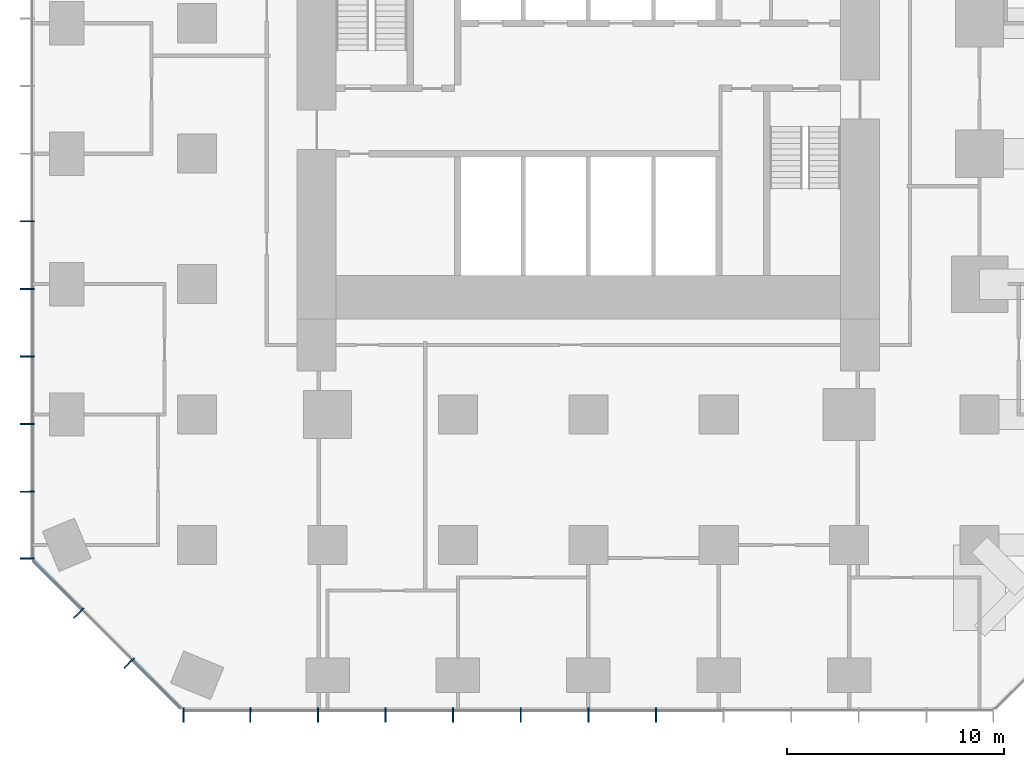
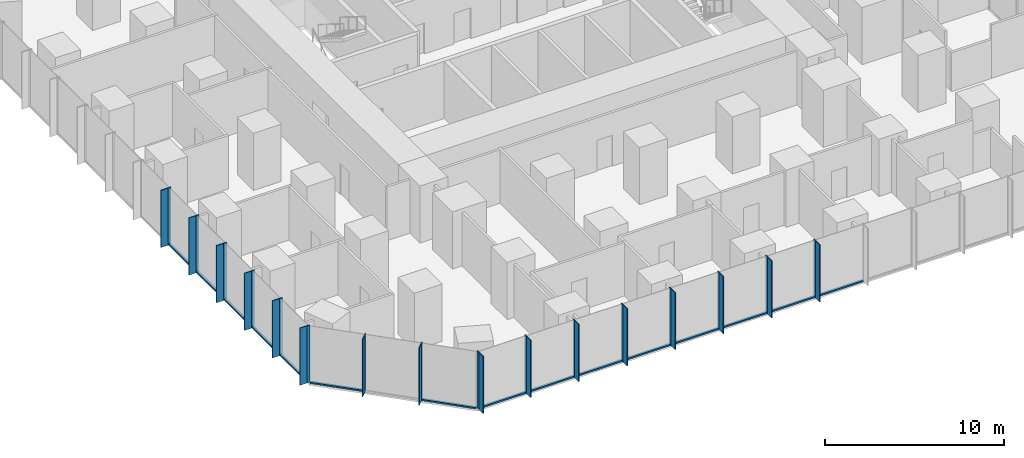
# One storey, part 2 of 12: 47 members, 3 elements without a shape of their own.
"""IFC4 building model written with IfcOpenShell, lengths in metres."""

from ifc_helpers import new_model, si_unit, direction, frame, origin, origin_2d, place, context, subcontext, project, spatial, rectangle, extrude, material, layer, layer_set, material_profile, profile_set, type_object, element, aggregate, save


model = new_model("IFC4")

# Units and contexts
model_context = context("Model", 3, precision=1e-05, world=origin(), true_north=direction((0.0, 1.0)))
body_context = subcontext(model_context, "Body", "Model", "MODEL_VIEW")
ifc_project = project(units=[si_unit("LENGTHUNIT", "METRE"), si_unit("AREAUNIT", "SQUARE_METRE"), si_unit("VOLUMEUNIT", "CUBIC_METRE"), si_unit("PLANEANGLEUNIT", "RADIAN"), si_unit("MASSUNIT", "GRAM", prefix="KILO")], contexts=[model_context])

# Site, building, storey
site_placement = place(None, origin())
site = spatial("IfcSite", under=ifc_project, at=site_placement, CompositionType="ELEMENT")
building_placement = place(site_placement, origin())
building = spatial("IfcBuilding", under=site, at=building_placement, Name="Highveld Stack Headquarters", CompositionType="ELEMENT")
storey_placement = place(building_placement, frame((0.0, 0.0, 49.39990234375)))
storey = spatial("IfcBuildingStorey", under=building, at=storey_placement, Name="L11", CompositionType="ELEMENT", Elevation=49.39990234375)

# Curtain wall, members
ifc_material_1 = material(Name="Aluminium bronze anodised", Category="aluminium")
ifc_layer_1 = layer(ifc_material_1, 0.199951171875)
ifc_layer_set_1 = layer_set([ifc_layer_1], Name="Aluminium bronze anodised")
curtain_wall_type_1 = type_object("IfcCurtainWallType", Name="CW1 TOWER UNITISED CURTAIN WALL", PredefinedType="NOTDEFINED", material=ifc_layer_set_1)
curtain_wall_1_placement = place(storey_placement, origin())
curtain_wall_1 = element("IfcCurtainWall", 1, at=curtain_wall_1_placement, inside=storey, type_object=curtain_wall_type_1, Name="Curtain wall CW1 L11 S", PredefinedType="NOTDEFINED")
ifc_material_2 = material(Name="Aluminium bronze anodised", Category="aluminium")
ifc_material_profile_1 = material_profile(ifc_material_2, rectangle(XDim=0.449951171875, YDim=0.06005859375, at=origin_2d()), Name="FIN 450x60")
ifc_profile_set_1 = profile_set([ifc_material_profile_1], Name="Aluminium bronze anodised")
member_type_1 = type_object("IfcMemberType", Name="CW1 BRONZE FIN 450x60", PredefinedType="USERDEFINED", material=ifc_profile_set_1)
member_1_placement = place(storey_placement, frame((-12.630126953125, -25.925048828125, 0.0), z_axis=(0.0, 0.0, 1.0), x_axis=(0.0, 1.0, 0.0)))
member_1 = element("IfcMember", 2, at=member_1_placement, type_object=member_type_1, Name="CW1 fin L11 1", ObjectType="FIN", PredefinedType="USERDEFINED", context=body_context, shape_type="SweptSolid", body=[
    extrude(rectangle(XDim=0.449951171875, YDim=0.06005859375, at=origin_2d()), origin(), (0.0, 0.0, 1.0), 3.900146484375),
])
member_2_placement = place(storey_placement, frame((-9.55224609375, -25.925048828125, 0.0), z_axis=(0.0, 0.0, 1.0), x_axis=(0.0, 1.0, 0.0)))
member_2 = element("IfcMember", 3, at=member_2_placement, type_object=member_type_1, Name="CW1 fin L11 2", ObjectType="FIN", PredefinedType="USERDEFINED", context=body_context, shape_type="SweptSolid", body=[
    extrude(rectangle(XDim=0.449951171875, YDim=0.06005859375, at=origin_2d()), origin(), (0.0, 0.0, 1.0), 3.900146484375),
])
member_3_placement = place(storey_placement, frame((-6.44189453125, -25.925048828125, 0.0), z_axis=(0.0, 0.0, 1.0), x_axis=(0.0, 1.0, 0.0)))
member_3 = element("IfcMember", 4, at=member_3_placement, type_object=member_type_1, Name="CW1 fin L11 3", ObjectType="FIN", PredefinedType="USERDEFINED", context=body_context, shape_type="SweptSolid", body=[
    extrude(rectangle(XDim=0.449951171875, YDim=0.06005859375, at=origin_2d()), origin(), (0.0, 0.0, 1.0), 3.900146484375),
])
member_4_placement = place(storey_placement, frame((-3.331298828125, -25.925048828125, 0.0), z_axis=(0.0, 0.0, 1.0), x_axis=(0.0, 1.0, 0.0)))
member_4 = element("IfcMember", 5, at=member_4_placement, type_object=member_type_1, Name="CW1 fin L11 4", ObjectType="FIN", PredefinedType="USERDEFINED", context=body_context, shape_type="SweptSolid", body=[
    extrude(rectangle(XDim=0.449951171875, YDim=0.06005859375, at=origin_2d()), origin(), (0.0, 0.0, 1.0), 3.900146484375),
])
member_5_placement = place(storey_placement, frame((-0.220947265625, -25.925048828125, 0.0), z_axis=(0.0, 0.0, 1.0), x_axis=(0.0, 1.0, 0.0)))
member_5 = element("IfcMember", 6, at=member_5_placement, type_object=member_type_1, Name="CW1 fin L11 5", ObjectType="FIN", PredefinedType="USERDEFINED", context=body_context, shape_type="SweptSolid", body=[
    extrude(rectangle(XDim=0.449951171875, YDim=0.06005859375, at=origin_2d()), origin(), (0.0, 0.0, 1.0), 3.900146484375),
])
member_6_placement = place(storey_placement, frame((2.8896484375, -25.925048828125, 0.0), z_axis=(0.0, 0.0, 1.0), x_axis=(0.0, 1.0, 0.0)))
member_6 = element("IfcMember", 7, at=member_6_placement, type_object=member_type_1, Name="CW1 fin L11 6", ObjectType="FIN", PredefinedType="USERDEFINED", context=body_context, shape_type="SweptSolid", body=[
    extrude(rectangle(XDim=0.449951171875, YDim=0.06005859375, at=origin_2d()), origin(), (0.0, 0.0, 1.0), 3.900146484375),
])
member_7_placement = place(storey_placement, frame((6.0, -25.925048828125, 0.0), z_axis=(0.0, 0.0, 1.0), x_axis=(0.0, 1.0, 0.0)))
member_7 = element("IfcMember", 8, at=member_7_placement, type_object=member_type_1, Name="CW1 fin L11 7", ObjectType="FIN", PredefinedType="USERDEFINED", context=body_context, shape_type="SweptSolid", body=[
    extrude(rectangle(XDim=0.449951171875, YDim=0.06005859375, at=origin_2d()), origin(), (0.0, 0.0, 1.0), 3.900146484375),
])
member_8_placement = place(storey_placement, frame((9.110595703125, -25.925048828125, 0.0), z_axis=(0.0, 0.0, 1.0), x_axis=(0.0, 1.0, 0.0)))
member_8 = element("IfcMember", 9, at=member_8_placement, type_object=member_type_1, Name="CW1 fin L11 8", ObjectType="FIN", PredefinedType="USERDEFINED", context=body_context, shape_type="SweptSolid", body=[
    extrude(rectangle(XDim=0.449951171875, YDim=0.06005859375, at=origin_2d()), origin(), (0.0, 0.0, 1.0), 3.900146484375),
])

curtain_wall_2_placement = place(storey_placement, origin())
curtain_wall_2 = element("IfcCurtainWall", 10, at=curtain_wall_2_placement, inside=storey, type_object=curtain_wall_type_1, Name="Curtain wall CW1 L11 W", PredefinedType="NOTDEFINED")
member_9_placement = place(storey_placement, frame((-19.925048828125, -3.110595703125, 0.0), z_axis=(0.0, 0.0, 1.0), x_axis=(1.0, 0.0, 0.0)))
member_9 = element("IfcMember", 11, at=member_9_placement, type_object=member_type_1, Name="CW1 fin L11 8", ObjectType="FIN", PredefinedType="USERDEFINED", context=body_context, shape_type="SweptSolid", body=[
    extrude(rectangle(XDim=0.449951171875, YDim=0.06005859375, at=origin_2d()), origin(), (0.0, 0.0, 1.0), 3.900146484375),
])
member_10_placement = place(storey_placement, frame((-19.925048828125, -6.220947265625, 0.0), z_axis=(0.0, 0.0, 1.0), x_axis=(1.0, 0.0, 0.0)))
member_10 = element("IfcMember", 12, at=member_10_placement, type_object=member_type_1, Name="CW1 fin L11 9", ObjectType="FIN", PredefinedType="USERDEFINED", context=body_context, shape_type="SweptSolid", body=[
    extrude(rectangle(XDim=0.449951171875, YDim=0.06005859375, at=origin_2d()), origin(), (0.0, 0.0, 1.0), 3.900146484375),
])
member_11_placement = place(storey_placement, frame((-19.925048828125, -9.331298828125, 0.0), z_axis=(0.0, 0.0, 1.0), x_axis=(1.0, 0.0, 0.0)))
member_11 = element("IfcMember", 13, at=member_11_placement, type_object=member_type_1, Name="CW1 fin L11 10", ObjectType="FIN", PredefinedType="USERDEFINED", context=body_context, shape_type="SweptSolid", body=[
    extrude(rectangle(XDim=0.449951171875, YDim=0.06005859375, at=origin_2d()), origin(), (0.0, 0.0, 1.0), 3.900146484375),
])
member_12_placement = place(storey_placement, frame((-19.925048828125, -12.44189453125, 0.0), z_axis=(0.0, 0.0, 1.0), x_axis=(1.0, 0.0, 0.0)))
member_12 = element("IfcMember", 14, at=member_12_placement, type_object=member_type_1, Name="CW1 fin L11 11", ObjectType="FIN", PredefinedType="USERDEFINED", context=body_context, shape_type="SweptSolid", body=[
    extrude(rectangle(XDim=0.449951171875, YDim=0.06005859375, at=origin_2d()), origin(), (0.0, 0.0, 1.0), 3.900146484375),
])
member_13_placement = place(storey_placement, frame((-19.925048828125, -15.55224609375, 0.0), z_axis=(0.0, 0.0, 1.0), x_axis=(1.0, 0.0, 0.0)))
member_13 = element("IfcMember", 15, at=member_13_placement, type_object=member_type_1, Name="CW1 fin L11 12", ObjectType="FIN", PredefinedType="USERDEFINED", context=body_context, shape_type="SweptSolid", body=[
    extrude(rectangle(XDim=0.449951171875, YDim=0.06005859375, at=origin_2d()), origin(), (0.0, 0.0, 1.0), 3.900146484375),
])
member_14_placement = place(storey_placement, frame((-19.925048828125, -18.630126953125, 0.0), z_axis=(0.0, 0.0, 1.0), x_axis=(1.0, 0.0, 0.0)))
member_14 = element("IfcMember", 16, at=member_14_placement, type_object=member_type_1, Name="CW1 fin L11 13", ObjectType="FIN", PredefinedType="USERDEFINED", context=body_context, shape_type="SweptSolid", body=[
    extrude(rectangle(XDim=0.449951171875, YDim=0.06005859375, at=origin_2d()), origin(), (0.0, 0.0, 1.0), 3.900146484375),
])

# Member
ifc_material_3 = material(Name="Aluminium bronze anodised", Category="aluminium")
ifc_material_profile_2 = material_profile(ifc_material_3, rectangle(XDim=0.199951171875, YDim=0.06494140625, at=origin_2d()), Name="CW1 MULLION 65x200")
ifc_profile_set_2 = profile_set([ifc_material_profile_2], Name="Aluminium bronze anodised")
member_type_2 = type_object("IfcMemberType", Name="CW1 MULLION 65x200", PredefinedType="MULLION", material=ifc_profile_set_2)
member_15_placement = place(storey_placement, frame((-12.630126953125, -25.60009765625, 0.0), z_axis=(0.0, 0.0, 1.0), x_axis=(0.0, 1.0, 0.0)))
member_15 = element("IfcMember", 17, at=member_15_placement, type_object=member_type_2, Name="CW1 mullion L11 1", PredefinedType="MULLION", context=body_context, shape_type="SweptSolid", body=[
    extrude(rectangle(XDim=0.199951171875, YDim=0.06494140625, at=origin_2d()), origin(), (0.0, 0.0, 1.0), 3.900146484375),
])

member_16_placement = place(storey_placement, frame((-9.55224609375, -25.60009765625, 0.0), z_axis=(0.0, 0.0, 1.0), x_axis=(0.0, 1.0, 0.0)))
member_16 = element("IfcMember", 18, at=member_16_placement, type_object=member_type_2, Name="CW1 mullion L11 2", PredefinedType="MULLION", context=body_context, shape_type="SweptSolid", body=[
    extrude(rectangle(XDim=0.199951171875, YDim=0.06494140625, at=origin_2d()), origin(), (0.0, 0.0, 1.0), 3.900146484375),
])

member_17_placement = place(storey_placement, frame((-6.44189453125, -25.60009765625, 0.0), z_axis=(0.0, 0.0, 1.0), x_axis=(0.0, 1.0, 0.0)))
member_17 = element("IfcMember", 19, at=member_17_placement, type_object=member_type_2, Name="CW1 mullion L11 3", PredefinedType="MULLION", context=body_context, shape_type="SweptSolid", body=[
    extrude(rectangle(XDim=0.199951171875, YDim=0.06494140625, at=origin_2d()), origin(), (0.0, 0.0, 1.0), 3.900146484375),
])

member_18_placement = place(storey_placement, frame((-3.331298828125, -25.60009765625, 0.0), z_axis=(0.0, 0.0, 1.0), x_axis=(0.0, 1.0, 0.0)))
member_18 = element("IfcMember", 20, at=member_18_placement, type_object=member_type_2, Name="CW1 mullion L11 4", PredefinedType="MULLION", context=body_context, shape_type="SweptSolid", body=[
    extrude(rectangle(XDim=0.199951171875, YDim=0.06494140625, at=origin_2d()), origin(), (0.0, 0.0, 1.0), 3.900146484375),
])

member_19_placement = place(storey_placement, frame((-0.220947265625, -25.60009765625, 0.0), z_axis=(0.0, 0.0, 1.0), x_axis=(0.0, 1.0, 0.0)))
member_19 = element("IfcMember", 21, at=member_19_placement, type_object=member_type_2, Name="CW1 mullion L11 5", PredefinedType="MULLION", context=body_context, shape_type="SweptSolid", body=[
    extrude(rectangle(XDim=0.199951171875, YDim=0.06494140625, at=origin_2d()), origin(), (0.0, 0.0, 1.0), 3.900146484375),
])

member_20_placement = place(storey_placement, frame((2.8896484375, -25.60009765625, 0.0), z_axis=(0.0, 0.0, 1.0), x_axis=(0.0, 1.0, 0.0)))
member_20 = element("IfcMember", 22, at=member_20_placement, type_object=member_type_2, Name="CW1 mullion L11 6", PredefinedType="MULLION", context=body_context, shape_type="SweptSolid", body=[
    extrude(rectangle(XDim=0.199951171875, YDim=0.06494140625, at=origin_2d()), origin(), (0.0, 0.0, 1.0), 3.900146484375),
])

member_21_placement = place(storey_placement, frame((6.0, -25.60009765625, 0.0), z_axis=(0.0, 0.0, 1.0), x_axis=(0.0, 1.0, 0.0)))
member_21 = element("IfcMember", 23, at=member_21_placement, type_object=member_type_2, Name="CW1 mullion L11 7", PredefinedType="MULLION", context=body_context, shape_type="SweptSolid", body=[
    extrude(rectangle(XDim=0.199951171875, YDim=0.06494140625, at=origin_2d()), origin(), (0.0, 0.0, 1.0), 3.900146484375),
])

member_22_placement = place(storey_placement, frame((9.110595703125, -25.60009765625, 0.0), z_axis=(0.0, 0.0, 1.0), x_axis=(0.0, 1.0, 0.0)))
member_22 = element("IfcMember", 24, at=member_22_placement, type_object=member_type_2, Name="CW1 mullion L11 8", PredefinedType="MULLION", context=body_context, shape_type="SweptSolid", body=[
    extrude(rectangle(XDim=0.199951171875, YDim=0.06494140625, at=origin_2d()), origin(), (0.0, 0.0, 1.0), 3.900146484375),
])

member_23_placement = place(storey_placement, frame((-19.60009765625, -3.110595703125, 0.0), z_axis=(0.0, 0.0, 1.0), x_axis=(1.0, 0.0, 0.0)))
member_23 = element("IfcMember", 25, at=member_23_placement, type_object=member_type_2, Name="CW1 mullion L11 8", PredefinedType="MULLION", context=body_context, shape_type="SweptSolid", body=[
    extrude(rectangle(XDim=0.199951171875, YDim=0.06494140625, at=origin_2d()), origin(), (0.0, 0.0, 1.0), 3.900146484375),
])

member_24_placement = place(storey_placement, frame((-19.60009765625, -6.220947265625, 0.0), z_axis=(0.0, 0.0, 1.0), x_axis=(1.0, 0.0, 0.0)))
member_24 = element("IfcMember", 26, at=member_24_placement, type_object=member_type_2, Name="CW1 mullion L11 9", PredefinedType="MULLION", context=body_context, shape_type="SweptSolid", body=[
    extrude(rectangle(XDim=0.199951171875, YDim=0.06494140625, at=origin_2d()), origin(), (0.0, 0.0, 1.0), 3.900146484375),
])

member_25_placement = place(storey_placement, frame((-19.60009765625, -9.331298828125, 0.0), z_axis=(0.0, 0.0, 1.0), x_axis=(1.0, 0.0, 0.0)))
member_25 = element("IfcMember", 27, at=member_25_placement, type_object=member_type_2, Name="CW1 mullion L11 10", PredefinedType="MULLION", context=body_context, shape_type="SweptSolid", body=[
    extrude(rectangle(XDim=0.199951171875, YDim=0.06494140625, at=origin_2d()), origin(), (0.0, 0.0, 1.0), 3.900146484375),
])

member_26_placement = place(storey_placement, frame((-19.60009765625, -12.44189453125, 0.0), z_axis=(0.0, 0.0, 1.0), x_axis=(1.0, 0.0, 0.0)))
member_26 = element("IfcMember", 28, at=member_26_placement, type_object=member_type_2, Name="CW1 mullion L11 11", PredefinedType="MULLION", context=body_context, shape_type="SweptSolid", body=[
    extrude(rectangle(XDim=0.199951171875, YDim=0.06494140625, at=origin_2d()), origin(), (0.0, 0.0, 1.0), 3.900146484375),
])

member_27_placement = place(storey_placement, frame((-19.60009765625, -15.55224609375, 0.0), z_axis=(0.0, 0.0, 1.0), x_axis=(1.0, 0.0, 0.0)))
member_27 = element("IfcMember", 29, at=member_27_placement, type_object=member_type_2, Name="CW1 mullion L11 12", PredefinedType="MULLION", context=body_context, shape_type="SweptSolid", body=[
    extrude(rectangle(XDim=0.199951171875, YDim=0.06494140625, at=origin_2d()), origin(), (0.0, 0.0, 1.0), 3.900146484375),
])

member_28_placement = place(storey_placement, frame((-19.60009765625, -18.630126953125, 0.0), z_axis=(0.0, 0.0, 1.0), x_axis=(1.0, 0.0, 0.0)))
member_28 = element("IfcMember", 30, at=member_28_placement, type_object=member_type_2, Name="CW1 mullion L11 13", PredefinedType="MULLION", context=body_context, shape_type="SweptSolid", body=[
    extrude(rectangle(XDim=0.199951171875, YDim=0.06494140625, at=origin_2d()), origin(), (0.0, 0.0, 1.0), 3.900146484375),
])

ifc_material_4 = material(Name="Aluminium bronze anodised", Category="aluminium")
ifc_material_profile_3 = material_profile(ifc_material_4, rectangle(XDim=0.14990234375, YDim=0.10009765625, at=origin_2d()), Name="CW1 TRANSOM 150x100")
ifc_profile_set_3 = profile_set([ifc_material_profile_3], Name="Aluminium bronze anodised")
member_type_3 = type_object("IfcMemberType", Name="CW1 STACK TRANSOM 150x100", PredefinedType="USERDEFINED", material=ifc_profile_set_3)
member_29_placement = place(storey_placement, frame((-12.59765625, -25.60009765625, 0.050048828125), z_axis=(1.0, 0.0, 0.0), x_axis=(0.0, 1.0, 0.0)))
member_29 = element("IfcMember", 31, at=member_29_placement, type_object=member_type_3, Name="CW1 transom L11 1.1", ObjectType="TRANSOM", PredefinedType="USERDEFINED", context=body_context, shape_type="SweptSolid", body=[
    extrude(rectangle(XDim=0.14990234375, YDim=0.10009765625, at=origin_2d()), origin(), (0.0, 0.0, 1.0), 3.012939453125),
])

member_30_placement = place(storey_placement, frame((-9.519775390625, -25.60009765625, 0.050048828125), z_axis=(1.0, 0.0, 0.0), x_axis=(0.0, 1.0, 0.0)))
member_30 = element("IfcMember", 32, at=member_30_placement, type_object=member_type_3, Name="CW1 transom L11 2.1", ObjectType="TRANSOM", PredefinedType="USERDEFINED", context=body_context, shape_type="SweptSolid", body=[
    extrude(rectangle(XDim=0.14990234375, YDim=0.10009765625, at=origin_2d()), origin(), (0.0, 0.0, 1.0), 3.04541015625),
])

member_31_placement = place(storey_placement, frame((-6.4091796875, -25.60009765625, 0.050048828125), z_axis=(1.0, 0.0, 0.0), x_axis=(0.0, 1.0, 0.0)))
member_31 = element("IfcMember", 33, at=member_31_placement, type_object=member_type_3, Name="CW1 transom L11 3.1", ObjectType="TRANSOM", PredefinedType="USERDEFINED", context=body_context, shape_type="SweptSolid", body=[
    extrude(rectangle(XDim=0.14990234375, YDim=0.10009765625, at=origin_2d()), origin(), (0.0, 0.0, 1.0), 3.04541015625),
])

member_32_placement = place(storey_placement, frame((-3.298828125, -25.60009765625, 0.050048828125), z_axis=(1.0, 0.0, 0.0), x_axis=(0.0, 1.0, 0.0)))
member_32 = element("IfcMember", 34, at=member_32_placement, type_object=member_type_3, Name="CW1 transom L11 4.1", ObjectType="TRANSOM", PredefinedType="USERDEFINED", context=body_context, shape_type="SweptSolid", body=[
    extrude(rectangle(XDim=0.14990234375, YDim=0.10009765625, at=origin_2d()), origin(), (0.0, 0.0, 1.0), 3.04541015625),
])

member_33_placement = place(storey_placement, frame((-0.1884765625, -25.60009765625, 0.050048828125), z_axis=(1.0, 0.0, 0.0), x_axis=(0.0, 1.0, 0.0)))
member_33 = element("IfcMember", 35, at=member_33_placement, type_object=member_type_3, Name="CW1 transom L11 5.1", ObjectType="TRANSOM", PredefinedType="USERDEFINED", context=body_context, shape_type="SweptSolid", body=[
    extrude(rectangle(XDim=0.14990234375, YDim=0.10009765625, at=origin_2d()), origin(), (0.0, 0.0, 1.0), 3.045654296875),
])

member_34_placement = place(storey_placement, frame((2.922119140625, -25.60009765625, 0.050048828125), z_axis=(1.0, 0.0, 0.0), x_axis=(0.0, 1.0, 0.0)))
member_34 = element("IfcMember", 36, at=member_34_placement, type_object=member_type_3, Name="CW1 transom L11 6.1", ObjectType="TRANSOM", PredefinedType="USERDEFINED", context=body_context, shape_type="SweptSolid", body=[
    extrude(rectangle(XDim=0.14990234375, YDim=0.10009765625, at=origin_2d()), origin(), (0.0, 0.0, 1.0), 3.04541015625),
])

member_35_placement = place(storey_placement, frame((6.032470703125, -25.60009765625, 0.050048828125), z_axis=(1.0, 0.0, 0.0), x_axis=(0.0, 1.0, 0.0)))
member_35 = element("IfcMember", 37, at=member_35_placement, type_object=member_type_3, Name="CW1 transom L11 7.1", ObjectType="TRANSOM", PredefinedType="USERDEFINED", context=body_context, shape_type="SweptSolid", body=[
    extrude(rectangle(XDim=0.14990234375, YDim=0.10009765625, at=origin_2d()), origin(), (0.0, 0.0, 1.0), 3.04541015625),
])

member_36_placement = place(storey_placement, frame((9.14306640625, -25.60009765625, 0.050048828125), z_axis=(1.0, 0.0, 0.0), x_axis=(0.0, 1.0, 0.0)))
member_36 = element("IfcMember", 38, at=member_36_placement, type_object=member_type_3, Name="CW1 transom L11 8.1", ObjectType="TRANSOM", PredefinedType="USERDEFINED", context=body_context, shape_type="SweptSolid", body=[
    extrude(rectangle(XDim=0.14990234375, YDim=0.10009765625, at=origin_2d()), origin(), (0.0, 0.0, 1.0), 3.04541015625),
])

aggregate(curtain_wall_1, [member_15, member_1, member_16, member_2, member_17, member_3, member_18, member_4, member_19, member_5, member_20, member_6, member_21, member_7, member_22, member_8, member_29, member_30, member_31, member_32, member_33, member_34, member_35, member_36])

member_37_placement = place(storey_placement, frame((-19.60009765625, -3.142822265625, 0.050048828125), z_axis=(0.0, -1.0, 0.0), x_axis=(1.0, 0.0, 0.0)))
member_37 = element("IfcMember", 39, at=member_37_placement, type_object=member_type_3, Name="CW1 transom L11 8.1", ObjectType="TRANSOM", PredefinedType="USERDEFINED", context=body_context, shape_type="SweptSolid", body=[
    extrude(rectangle(XDim=0.14990234375, YDim=0.10009765625, at=origin_2d()), origin(), (0.0, 0.0, 1.0), 3.045654296875),
])

member_38_placement = place(storey_placement, frame((-19.60009765625, -6.25341796875, 0.050048828125), z_axis=(0.0, -1.0, 0.0), x_axis=(1.0, 0.0, 0.0)))
member_38 = element("IfcMember", 40, at=member_38_placement, type_object=member_type_3, Name="CW1 transom L11 9.1", ObjectType="TRANSOM", PredefinedType="USERDEFINED", context=body_context, shape_type="SweptSolid", body=[
    extrude(rectangle(XDim=0.14990234375, YDim=0.10009765625, at=origin_2d()), origin(), (0.0, 0.0, 1.0), 3.04541015625),
])

member_39_placement = place(storey_placement, frame((-19.60009765625, -9.36376953125, 0.050048828125), z_axis=(0.0, -1.0, 0.0), x_axis=(1.0, 0.0, 0.0)))
member_39 = element("IfcMember", 41, at=member_39_placement, type_object=member_type_3, Name="CW1 transom L11 10.1", ObjectType="TRANSOM", PredefinedType="USERDEFINED", context=body_context, shape_type="SweptSolid", body=[
    extrude(rectangle(XDim=0.14990234375, YDim=0.10009765625, at=origin_2d()), origin(), (0.0, 0.0, 1.0), 3.04541015625),
])

member_40_placement = place(storey_placement, frame((-19.60009765625, -12.474365234375, 0.050048828125), z_axis=(0.0, -1.0, 0.0), x_axis=(1.0, 0.0, 0.0)))
member_40 = element("IfcMember", 42, at=member_40_placement, type_object=member_type_3, Name="CW1 transom L11 11.1", ObjectType="TRANSOM", PredefinedType="USERDEFINED", context=body_context, shape_type="SweptSolid", body=[
    extrude(rectangle(XDim=0.14990234375, YDim=0.10009765625, at=origin_2d()), origin(), (0.0, 0.0, 1.0), 3.04541015625),
])

member_41_placement = place(storey_placement, frame((-19.60009765625, -15.584716796875, 0.050048828125), z_axis=(0.0, -1.0, 0.0), x_axis=(1.0, 0.0, 0.0)))
member_41 = element("IfcMember", 43, at=member_41_placement, type_object=member_type_3, Name="CW1 transom L11 12.1", ObjectType="TRANSOM", PredefinedType="USERDEFINED", context=body_context, shape_type="SweptSolid", body=[
    extrude(rectangle(XDim=0.14990234375, YDim=0.10009765625, at=origin_2d()), origin(), (0.0, 0.0, 1.0), 3.012939453125),
])

aggregate(curtain_wall_2, [member_23, member_9, member_24, member_10, member_25, member_11, member_26, member_12, member_27, member_13, member_28, member_14, member_37, member_38, member_39, member_40, member_41])

# Curtain wall, members
ifc_material_5 = material(Name="Aluminium bronze anodised", Category="aluminium")
ifc_layer_2 = layer(ifc_material_5, 0.199951171875)
ifc_layer_set_2 = layer_set([ifc_layer_2], Name="Aluminium bronze anodised")
curtain_wall_type_2 = type_object("IfcCurtainWallType", Name="CW2 TOWER CHAMFER UNITISED CURTAIN WALL", PredefinedType="NOTDEFINED", material=ifc_layer_set_2)
curtain_wall_3_placement = place(storey_placement, origin())
curtain_wall_3 = element("IfcCurtainWall", 44, at=curtain_wall_3_placement, inside=storey, type_object=curtain_wall_type_2, Name="Curtain wall CW2 L11 SW", PredefinedType="NOTDEFINED")
ifc_material_6 = material(Name="Aluminium bronze anodised", Category="aluminium")
ifc_material_profile_4 = material_profile(ifc_material_6, rectangle(XDim=0.449951171875, YDim=0.06005859375, at=origin_2d()), Name="FIN 450x60")
ifc_profile_set_4 = profile_set([ifc_material_profile_4], Name="Aluminium bronze anodised")
member_type_4 = type_object("IfcMemberType", Name="CW2 BRONZE FIN 450x60", PredefinedType="USERDEFINED", material=ifc_profile_set_4)
member_42_placement = place(storey_placement, frame((-17.517333984375, -21.204833984375, 0.0), z_axis=(0.0, 0.0, 1.0), x_axis=(0.707106781187, 0.707106781187, 0.0)))
member_42 = element("IfcMember", 45, at=member_42_placement, type_object=member_type_4, Name="CW2 fin L11 1", ObjectType="FIN", PredefinedType="USERDEFINED", context=body_context, shape_type="SweptSolid", body=[
    extrude(rectangle(XDim=0.449951171875, YDim=0.06005859375, at=origin_2d()), origin(), (0.0, 0.0, 1.0), 3.900146484375),
])
member_43_placement = place(storey_placement, frame((-15.204833984375, -23.517333984375, 0.0), z_axis=(0.0, 0.0, 1.0), x_axis=(0.707106781187, 0.707106781187, 0.0)))
member_43 = element("IfcMember", 46, at=member_43_placement, type_object=member_type_4, Name="CW2 fin L11 2", ObjectType="FIN", PredefinedType="USERDEFINED", context=body_context, shape_type="SweptSolid", body=[
    extrude(rectangle(XDim=0.449951171875, YDim=0.06005859375, at=origin_2d()), origin(), (0.0, 0.0, 1.0), 3.900146484375),
])
ifc_material_7 = material(Name="Aluminium bronze anodised", Category="aluminium")
ifc_material_profile_5 = material_profile(ifc_material_7, rectangle(XDim=0.199951171875, YDim=0.06494140625, at=origin_2d()), Name="CW2 MULLION 65x200")
ifc_profile_set_5 = profile_set([ifc_material_profile_5], Name="Aluminium bronze anodised")
member_type_5 = type_object("IfcMemberType", Name="CW2 MULLION 65x200", PredefinedType="MULLION", material=ifc_profile_set_5)
member_44_placement = place(storey_placement, frame((-17.28759765625, -20.97509765625, 0.0), z_axis=(0.0, 0.0, 1.0), x_axis=(0.707106781187, 0.707106781187, 0.0)))
member_44 = element("IfcMember", 47, at=member_44_placement, type_object=member_type_5, Name="CW2 mullion L11 1", PredefinedType="MULLION", context=body_context, shape_type="SweptSolid", body=[
    extrude(rectangle(XDim=0.199951171875, YDim=0.06494140625, at=origin_2d()), origin(), (0.0, 0.0, 1.0), 3.900146484375),
])
member_45_placement = place(storey_placement, frame((-14.97509765625, -23.28759765625, 0.0), z_axis=(0.0, 0.0, 1.0), x_axis=(0.707106781187, 0.707106781187, 0.0)))
member_45 = element("IfcMember", 48, at=member_45_placement, type_object=member_type_5, Name="CW2 mullion L11 2", PredefinedType="MULLION", context=body_context, shape_type="SweptSolid", body=[
    extrude(rectangle(XDim=0.199951171875, YDim=0.06494140625, at=origin_2d()), origin(), (0.0, 0.0, 1.0), 3.900146484375),
])
ifc_material_8 = material(Name="Aluminium bronze anodised", Category="aluminium")
ifc_material_profile_6 = material_profile(ifc_material_8, rectangle(XDim=0.14990234375, YDim=0.10009765625, at=origin_2d()), Name="CW2 TRANSOM 150x100")
ifc_profile_set_6 = profile_set([ifc_material_profile_6], Name="Aluminium bronze anodised")
member_type_6 = type_object("IfcMemberType", Name="CW2 STACK TRANSOM 150x100", PredefinedType="USERDEFINED", material=ifc_profile_set_6)
member_46_placement = place(storey_placement, frame((-19.529296875, -18.7333984375, 0.050048828125), z_axis=(0.707106781187, -0.707106781187, 0.0), x_axis=(0.707106781187, 0.707106781187, 0.0)))
member_46 = element("IfcMember", 49, at=member_46_placement, type_object=member_type_6, Name="CW2 transom L11 1.1", ObjectType="TRANSOM", PredefinedType="USERDEFINED", context=body_context, shape_type="SweptSolid", body=[
    extrude(rectangle(XDim=0.14990234375, YDim=0.10009765625, at=origin_2d()), origin(), (0.0, 0.0, 1.0), 3.1376953125),
])
member_47_placement = place(storey_placement, frame((-14.9521484375, -23.310546875, 0.050048828125), z_axis=(0.707106781187, -0.707106781187, 0.0), x_axis=(0.707106781187, 0.707106781187, 0.0)))
member_47 = element("IfcMember", 50, at=member_47_placement, type_object=member_type_6, Name="CW2 transom L11 3.1", ObjectType="TRANSOM", PredefinedType="USERDEFINED", context=body_context, shape_type="SweptSolid", body=[
    extrude(rectangle(XDim=0.14990234375, YDim=0.10009765625, at=origin_2d()), origin(), (0.0, 0.0, 1.0), 3.1376953125),
])
aggregate(curtain_wall_3, [member_44, member_42, member_45, member_43, member_46, member_47])

save(model, "model.ifc")
